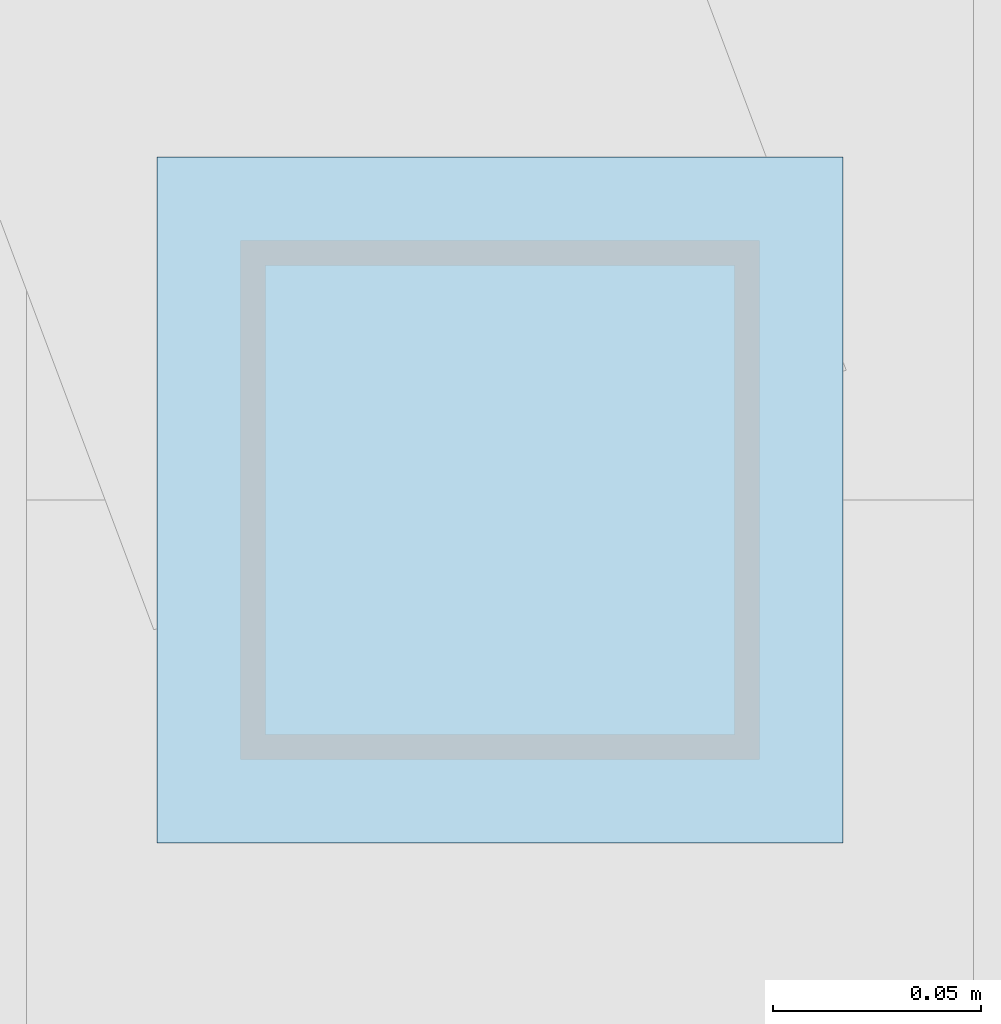
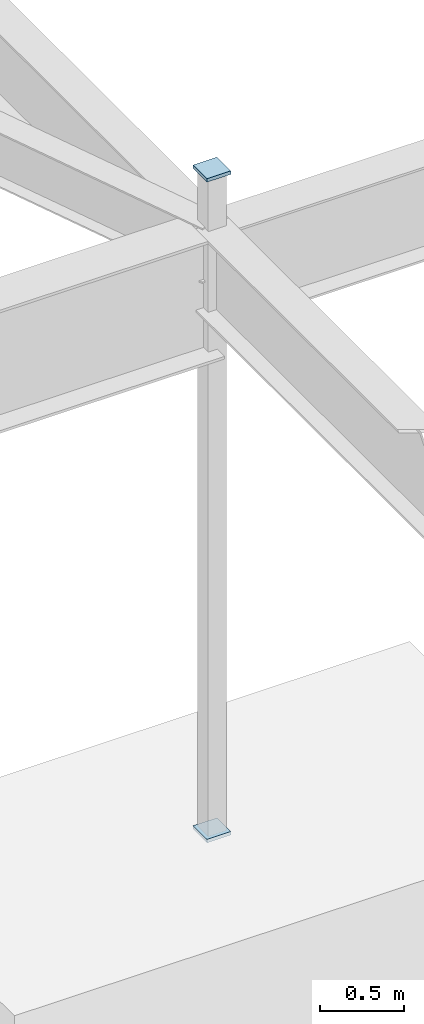
# One storey, part 105 of 136: 2 plates.
"""IFC4 building model written with IfcOpenShell, lengths in metres."""

from ifc_helpers import new_model, si_unit, direction, frame, origin, origin_2d, place, context, subcontext, project, spatial, rectangle, extrude, material, layer, layer_set, type_object, element, save


model = new_model("IFC4")

# Units and contexts
model_context = context("Model", 3, precision=1e-05, world=origin(), true_north=direction((0.0, 1.0)))
body_context = subcontext(model_context, "Body", "Model", "MODEL_VIEW")
ifc_project = project(units=[si_unit("LENGTHUNIT", "METRE"), si_unit("AREAUNIT", "SQUARE_METRE"), si_unit("VOLUMEUNIT", "CUBIC_METRE"), si_unit("PLANEANGLEUNIT", "RADIAN"), si_unit("MASSUNIT", "GRAM", prefix="KILO")], contexts=[model_context])

# Site, building, storey
site_placement = place(None, origin())
site = spatial("IfcSite", under=ifc_project, at=site_placement, CompositionType="ELEMENT")
building_placement = place(site_placement, origin())
building = spatial("IfcBuilding", under=site, at=building_placement, Name="Tarnwether General Hospital", CompositionType="ELEMENT")
storey_placement = place(building_placement, frame((0.0, 0.0, -4.800048828125)))
storey = spatial("IfcBuildingStorey", under=building, at=storey_placement, Name="LG", CompositionType="ELEMENT", Elevation=-4.800048828125)

# Plates
ifc_material = material(Name="Steel Grade 350 (350 MPa)", Category="steel")
ifc_layer = layer(ifc_material, 0.02490234375)
ifc_layer_set = layer_set([ifc_layer], Name="Steel Grade 350 (350 MPa)")
plate_type = type_object("IfcPlateType", Name="PT-GUS2", PredefinedType="USERDEFINED", material=ifc_layer_set)
for number, where, z_axis, x_axis, name in (
    (1, (144.0, 33.60009765625, -0.02490234375), (0.0, 0.0, 1.0), (1.0, 0.0, 0.0), "Hollow Section Welded End Cap Plate 0277"),
    (2, (144.0, 33.60009765625, 4.800048828125), (0.0, 0.0, 1.0), (1.0, 0.0, 0.0), "Hollow Section Welded End Cap Plate 0278"),
):
    element("IfcPlate", number, at=place(storey_placement, frame(where, z_axis=z_axis, x_axis=x_axis)), inside=storey, type_object=plate_type, Name=name, ObjectType="GUSSET", PredefinedType="USERDEFINED", context=body_context, shape_type="SweptSolid", body=[
        extrude(rectangle(XDim=0.1650390625, YDim=0.1650390625, at=origin_2d()), origin(), (0.0, 0.0, 1.0), 0.02490234375),
    ])

save(model, "model.ifc")
